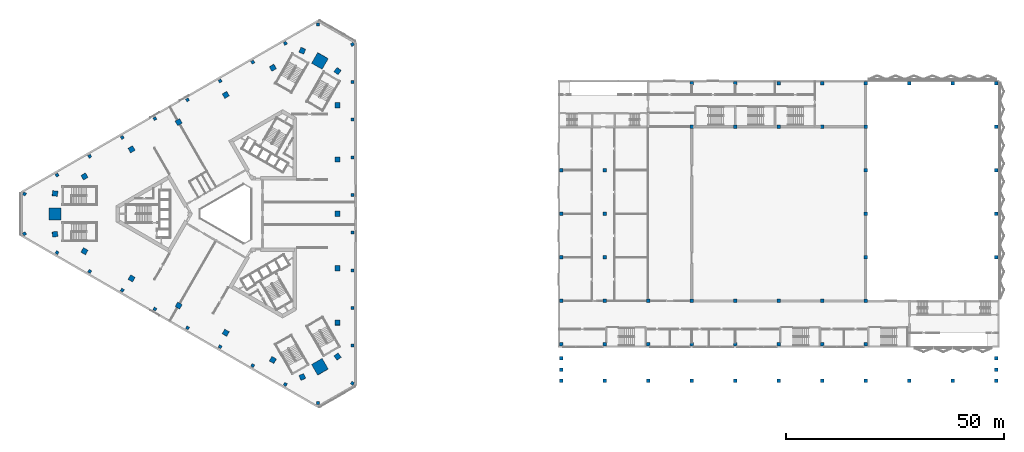
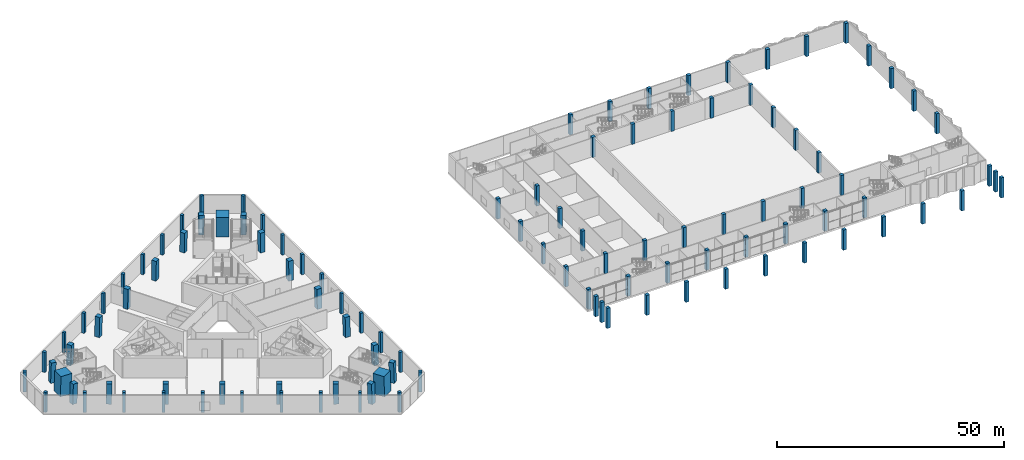
# One storey, part 1 of 35: 111 columns.
"""IFC4 building model written with IfcOpenShell, lengths in metres."""

from ifc_helpers import new_model, si_unit, direction, frame, origin, origin_2d, place, context, subcontext, project, spatial, rectangle, extrude, material, material_profile, profile_set, type_object, element, save


model = new_model("IFC4")

# Units and contexts
model_context = context("Model", 3, precision=1e-05, world=origin(), true_north=direction((0.0, 1.0)))
body_context = subcontext(model_context, "Body", "Model", "MODEL_VIEW")
ifc_project = project(units=[si_unit("LENGTHUNIT", "METRE"), si_unit("AREAUNIT", "SQUARE_METRE"), si_unit("VOLUMEUNIT", "CUBIC_METRE"), si_unit("PLANEANGLEUNIT", "RADIAN"), si_unit("MASSUNIT", "GRAM", prefix="KILO")], contexts=[model_context])

# Site, building, storey
site_placement = place(None, origin())
site = spatial("IfcSite", under=ifc_project, at=site_placement, CompositionType="ELEMENT")
building_placement = place(site_placement, origin())
building = spatial("IfcBuilding", under=site, at=building_placement, Name="Jabali Bay Hotel Tower and Convention Centre", CompositionType="ELEMENT")
storey_placement = place(building_placement, frame((0.0, 0.0, 15.0)))
storey = spatial("IfcBuildingStorey", under=building, at=storey_placement, Name="L02", CompositionType="ELEMENT", Elevation=15.0)

# Columns
ifc_material_1 = material(Name="Concrete C60", Category="concrete")
ifc_material_profile_1 = material_profile(ifc_material_1, rectangle(XDim=0.800048828125, YDim=0.800048828125, at=origin_2d()), Name="RC 800x800")
ifc_profile_set_1 = profile_set([ifc_material_profile_1], Name="Concrete C60")
column_type_1 = type_object("IfcColumnType", Name="CC Column 800x800 C60", PredefinedType="COLUMN", material=ifc_profile_set_1)
for number, where, z_axis, x_axis, name in (
    (1, (150.699951171875, 50.0, 0.0), (0.0, 0.0, 1.0), (1.0, 0.0, 0.0), "CC column CC1/A"),
    (2, (150.699951171875, 60.0, 0.0), (0.0, 0.0, 1.0), (1.0, 0.0, 0.0), "CC column CC1/B"),
    (3, (150.699951171875, 70.0, 0.0), (0.0, 0.0, 1.0), (1.0, 0.0, 0.0), "CC column CC1/C"),
    (4, (150.699951171875, 80.0, 0.0), (0.0, 0.0, 1.0), (1.0, 0.0, 0.0), "CC column CC1/D"),
    (5, (150.699951171875, 90.0, 0.0), (0.0, 0.0, 1.0), (1.0, 0.0, 0.0), "CC column CC1/E"),
    (6, (160.699951171875, 50.0, 0.0), (0.0, 0.0, 1.0), (1.0, 0.0, 0.0), "CC column CC2/A"),
    (7, (160.699951171875, 60.0, 0.0), (0.0, 0.0, 1.0), (1.0, 0.0, 0.0), "CC column CC2/B"),
    (8, (160.699951171875, 70.0, 0.0), (0.0, 0.0, 1.0), (1.0, 0.0, 0.0), "CC column CC2/C"),
    (9, (160.699951171875, 80.0, 0.0), (0.0, 0.0, 1.0), (1.0, 0.0, 0.0), "CC column CC2/D"),
    (10, (160.699951171875, 90.0, 0.0), (0.0, 0.0, 1.0), (1.0, 0.0, 0.0), "CC column CC2/E"),
    (11, (170.699951171875, 50.0, 0.0), (0.0, 0.0, 1.0), (1.0, 0.0, 0.0), "CC column CC3/A"),
    (12, (170.699951171875, 60.0, 0.0), (0.0, 0.0, 1.0), (1.0, 0.0, 0.0), "CC column CC3/B"),
    (13, (180.699951171875, 50.0, 0.0), (0.0, 0.0, 1.0), (1.0, 0.0, 0.0), "CC column CC4/A"),
    (14, (180.699951171875, 60.0, 0.0), (0.0, 0.0, 1.0), (1.0, 0.0, 0.0), "CC column CC4/B"),
    (15, (180.699951171875, 100.0, 0.0), (0.0, 0.0, 1.0), (1.0, 0.0, 0.0), "CC column CC4/F"),
    (16, (180.699951171875, 110.0, 0.0), (0.0, 0.0, 1.0), (1.0, 0.0, 0.0), "CC column CC4/G"),
    (17, (190.699951171875, 50.0, 0.0), (0.0, 0.0, 1.0), (1.0, 0.0, 0.0), "CC column CC5/A"),
    (18, (190.699951171875, 60.0, 0.0), (0.0, 0.0, 1.0), (1.0, 0.0, 0.0), "CC column CC5/B"),
    (19, (190.699951171875, 100.0, 0.0), (0.0, 0.0, 1.0), (1.0, 0.0, 0.0), "CC column CC5/F"),
    (20, (190.699951171875, 110.0, 0.0), (0.0, 0.0, 1.0), (1.0, 0.0, 0.0), "CC column CC5/G"),
    (21, (200.699951171875, 50.0, 0.0), (0.0, 0.0, 1.0), (1.0, 0.0, 0.0), "CC column CC6/A"),
    (22, (200.699951171875, 60.0, 0.0), (0.0, 0.0, 1.0), (1.0, 0.0, 0.0), "CC column CC6/B"),
    (23, (200.699951171875, 100.0, 0.0), (0.0, 0.0, 1.0), (1.0, 0.0, 0.0), "CC column CC6/F"),
    (24, (200.699951171875, 110.0, 0.0), (0.0, 0.0, 1.0), (1.0, 0.0, 0.0), "CC column CC6/G"),
    (25, (210.699951171875, 50.0, 0.0), (0.0, 0.0, 1.0), (1.0, 0.0, 0.0), "CC column CC7/A"),
    (26, (210.699951171875, 60.0, 0.0), (0.0, 0.0, 1.0), (1.0, 0.0, 0.0), "CC column CC7/B"),
    (27, (210.699951171875, 100.0, 0.0), (0.0, 0.0, 1.0), (1.0, 0.0, 0.0), "CC column CC7/F"),
    (28, (210.699951171875, 110.0, 0.0), (0.0, 0.0, 1.0), (1.0, 0.0, 0.0), "CC column CC7/G"),
    (29, (220.699951171875, 50.0, 0.0), (0.0, 0.0, 1.0), (1.0, 0.0, 0.0), "CC column CC8/A"),
    (30, (220.699951171875, 60.0, 0.0), (0.0, 0.0, 1.0), (1.0, 0.0, 0.0), "CC column CC8/B"),
    (31, (220.699951171875, 70.0, 0.0), (0.0, 0.0, 1.0), (1.0, 0.0, 0.0), "CC column CC8/C"),
    (32, (220.699951171875, 80.0, 0.0), (0.0, 0.0, 1.0), (1.0, 0.0, 0.0), "CC column CC8/D"),
    (33, (220.699951171875, 90.0, 0.0), (0.0, 0.0, 1.0), (1.0, 0.0, 0.0), "CC column CC8/E"),
    (34, (220.699951171875, 100.0, 0.0), (0.0, 0.0, 1.0), (1.0, 0.0, 0.0), "CC column CC8/F"),
    (35, (220.699951171875, 110.0, 0.0), (0.0, 0.0, 1.0), (1.0, 0.0, 0.0), "CC column CC8/G"),
    (36, (230.699951171875, 110.0, 0.0), (0.0, 0.0, 1.0), (1.0, 0.0, 0.0), "CC column CC9/G"),
    (37, (240.699951171875, 110.0, 0.0), (0.0, 0.0, 1.0), (1.0, 0.0, 0.0), "CC column CC10/G"),
    (38, (250.699951171875, 70.0, 0.0), (0.0, 0.0, 1.0), (1.0, 0.0, 0.0), "CC column CC11/C"),
    (39, (250.699951171875, 80.0, 0.0), (0.0, 0.0, 1.0), (1.0, 0.0, 0.0), "CC column CC11/D"),
    (40, (250.699951171875, 90.0, 0.0), (0.0, 0.0, 1.0), (1.0, 0.0, 0.0), "CC column CC11/E"),
    (41, (250.699951171875, 100.0, 0.0), (0.0, 0.0, 1.0), (1.0, 0.0, 0.0), "CC column CC11/F"),
    (42, (250.699951171875, 110.0, 0.0), (0.0, 0.0, 1.0), (1.0, 0.0, 0.0), "CC column CC11/G"),
):
    element("IfcColumn", number, at=place(storey_placement, frame(where, z_axis=z_axis, x_axis=x_axis)), inside=storey, type_object=column_type_1, Name=name, PredefinedType="COLUMN", context=body_context, shape_type="SweptSolid", body=[
        extrude(rectangle(XDim=0.800048828125, YDim=0.800048828125, at=origin_2d()), origin(), (0.0, 0.0, 1.0), 5.39990234375),
    ])
ifc_material_profile_2 = material_profile(ifc_material_1, rectangle(XDim=0.800048828125, YDim=0.800048828125, at=origin_2d()), Name="RC 800x800")
ifc_profile_set_2 = profile_set([ifc_material_profile_2], Name="Concrete C60")
column_type_2 = type_object("IfcColumnType", Name="CC South Pier 800x800", PredefinedType="COLUMN", material=ifc_profile_set_2)
for number, where, z_axis, x_axis, name in (
    (43, (150.699951171875, 44.199951171875, 0.0), (0.0, 0.0, 1.0), (1.0, 0.0, 0.0), "CC south roof return pier W1"),
    (44, (150.699951171875, 46.800048828125, 0.0), (0.0, 0.0, 1.0), (1.0, 0.0, 0.0), "CC south roof return pier W2"),
    (45, (250.699951171875, 44.199951171875, 0.0), (0.0, 0.0, 1.0), (1.0, 0.0, 0.0), "CC south roof return pier E1"),
    (46, (250.699951171875, 46.800048828125, 0.0), (0.0, 0.0, 1.0), (1.0, 0.0, 0.0), "CC south roof return pier E2"),
    (47, (150.699951171875, 41.60009765625, 0.0), (0.0, 0.0, 1.0), (1.0, 0.0, 0.0), "CC south roof pier 1"),
    (48, (160.699951171875, 41.60009765625, 0.0), (0.0, 0.0, 1.0), (1.0, 0.0, 0.0), "CC south roof pier 2"),
    (49, (170.699951171875, 41.60009765625, 0.0), (0.0, 0.0, 1.0), (1.0, 0.0, 0.0), "CC south roof pier 3"),
    (50, (180.699951171875, 41.60009765625, 0.0), (0.0, 0.0, 1.0), (1.0, 0.0, 0.0), "CC south roof pier 4"),
    (51, (190.699951171875, 41.60009765625, 0.0), (0.0, 0.0, 1.0), (1.0, 0.0, 0.0), "CC south roof pier 5"),
    (52, (200.699951171875, 41.60009765625, 0.0), (0.0, 0.0, 1.0), (1.0, 0.0, 0.0), "CC south roof pier 6"),
    (53, (210.699951171875, 41.60009765625, 0.0), (0.0, 0.0, 1.0), (1.0, 0.0, 0.0), "CC south roof pier 7"),
    (54, (220.699951171875, 41.60009765625, 0.0), (0.0, 0.0, 1.0), (1.0, 0.0, 0.0), "CC south roof pier 8"),
    (55, (230.699951171875, 41.60009765625, 0.0), (0.0, 0.0, 1.0), (1.0, 0.0, 0.0), "CC south roof pier 9"),
    (56, (240.699951171875, 41.60009765625, 0.0), (0.0, 0.0, 1.0), (1.0, 0.0, 0.0), "CC south roof pier 10"),
    (57, (250.699951171875, 41.60009765625, 0.0), (0.0, 0.0, 1.0), (1.0, 0.0, 0.0), "CC south roof pier 11"),
):
    element("IfcColumn", number, at=place(storey_placement, frame(where, z_axis=z_axis, x_axis=x_axis)), inside=storey, type_object=column_type_2, Name=name, PredefinedType="COLUMN", context=body_context, shape_type="SweptSolid", body=[
        extrude(rectangle(XDim=0.800048828125, YDim=0.800048828125, at=origin_2d()), origin(), (0.0, 0.0, 1.0), 5.39990234375),
    ])
ifc_material_profile_3 = material_profile(ifc_material_1, rectangle(XDim=1.199951171875, YDim=1.199951171875, at=origin_2d()), Name="Frame column 1200")
ifc_profile_set_3 = profile_set([ifc_material_profile_3], Name="Concrete C60")
column_type_3 = type_object("IfcColumnType", Name="Frame column 1200", PredefinedType="COLUMN", material=ifc_profile_set_3)
column_1_placement = place(storey_placement, frame((84.474365234375, 113.590087890625, 0.0), z_axis=(-0.008405819998, -0.028109785153, 0.999569498419), x_axis=(0.866589254109, 0.49856697269, 0.021308176972)))
element("IfcColumn", 58, at=column_1_placement, inside=storey, type_object=column_type_3, Name="FC1 F1.1 L02", PredefinedType="COLUMN", context=body_context, shape_type="SweptSolid", body=[
    extrude(rectangle(XDim=1.199951171875, YDim=1.199951171875, at=origin_2d()), origin(), (0.0, 0.0, 1.0), 5.40234375),
])
column_2_placement = place(storey_placement, frame((73.64892578125, 107.340087890625, 0.0), z_axis=(0.000858805594, -0.02278094838, 0.999740111651), x_axis=(0.865998283321, 0.499933588876, 0.010648004404)))
element("IfcColumn", 59, at=column_2_placement, inside=storey, type_object=column_type_3, Name="FC1 F1.2 L02", PredefinedType="COLUMN", context=body_context, shape_type="SweptSolid", body=[
    extrude(rectangle(XDim=1.199951171875, YDim=1.199951171875, at=origin_2d()), origin(), (0.0, 0.0, 1.0), 5.4013671875),
])
column_3_placement = place(storey_placement, frame((62.823486328125, 101.090087890625, 0.0), z_axis=(0.010125436974, -0.017448297643, 0.999796495511), x_axis=(-0.501816772312, 0.864738665414, 0.020173437103)))
element("IfcColumn", 60, at=column_3_placement, inside=storey, type_object=column_type_3, Name="FC1 F1.3 L02", PredefinedType="COLUMN", context=body_context, shape_type="SweptSolid", body=[
    extrude(rectangle(XDim=1.199951171875, YDim=1.199951171875, at=origin_2d()), origin(), (0.0, 0.0, 1.0), 5.401123046875),
])
column_4_placement = place(storey_placement, frame((51.998291015625, 94.840087890625, 0.0), z_axis=(0.019300530127, -0.012113681672, 0.999740340415), x_axis=(-0.50042402576, 0.865545970579, 0.020148629131)))
element("IfcColumn", 61, at=column_4_placement, inside=storey, type_object=column_type_3, Name="FC1 F1.4 L02", PredefinedType="COLUMN", context=body_context, shape_type="SweptSolid", body=[
    extrude(rectangle(XDim=1.199951171875, YDim=1.199951171875, at=origin_2d()), origin(), (0.0, 0.0, 1.0), 5.4013671875),
])
for number, where, z_axis, x_axis, name in (
    (62, (41.1728515625, 88.590087890625, 0.0), (0.02856168923, -0.006824074484, 0.999568737964), (-0.499546013967, 0.866052124065, 0.020186587918), "FC1 F1.5 L02"),
    (63, (41.1728515625, 71.409912109375, 0.0), (0.02856168923, 0.006824074484, 0.999568737964), (-0.865816383443, 0.499907141787, 0.021326972417), "FC1 F2.1 L02"),
):
    element("IfcColumn", number, at=place(storey_placement, frame(where, z_axis=z_axis, x_axis=x_axis)), inside=storey, type_object=column_type_3, Name=name, PredefinedType="COLUMN", context=body_context, shape_type="SweptSolid", body=[
        extrude(rectangle(XDim=1.199951171875, YDim=1.199951171875, at=origin_2d()), origin(), (0.0, 0.0, 1.0), 5.40234375),
    ])
column_5_placement = place(storey_placement, frame((51.998291015625, 65.159912109375, 0.0), z_axis=(0.019300530127, 0.012113681672, 0.999740340415), x_axis=(-0.865565297351, 0.500682965089, 0.010643518732)))
element("IfcColumn", 64, at=column_5_placement, inside=storey, type_object=column_type_3, Name="FC1 F2.2 L02", PredefinedType="COLUMN", context=body_context, shape_type="SweptSolid", body=[
    extrude(rectangle(XDim=1.199951171875, YDim=1.199951171875, at=origin_2d()), origin(), (0.0, 0.0, 1.0), 5.4013671875),
])
column_6_placement = place(storey_placement, frame((62.823486328125, 58.909912109375, 0.0), z_axis=(0.010125436974, 0.017448297643, 0.999796495511), x_axis=(-0.864914679348, 0.501918915212, 8.45e-09)))
element("IfcColumn", 65, at=column_6_placement, inside=storey, type_object=column_type_3, Name="FC1 F2.3 L02", PredefinedType="COLUMN", context=body_context, shape_type="SweptSolid", body=[
    extrude(rectangle(XDim=1.199951171875, YDim=1.199951171875, at=origin_2d()), origin(), (0.0, 0.0, 1.0), 5.401123046875),
])
column_7_placement = place(storey_placement, frame((73.64892578125, 52.659912109375, 0.0), z_axis=(0.000858805594, 0.02278094838, 0.999740111651), x_axis=(-0.5000462336, -0.865764075891, 0.020157607952)))
element("IfcColumn", 66, at=column_7_placement, inside=storey, type_object=column_type_3, Name="FC1 F2.4 L02", PredefinedType="COLUMN", context=body_context, shape_type="SweptSolid", body=[
    extrude(rectangle(XDim=1.199951171875, YDim=1.199951171875, at=origin_2d()), origin(), (0.0, 0.0, 1.0), 5.4013671875),
])
for number, where, z_axis, x_axis, name in (
    (67, (84.474365234375, 46.409912109375, 0.0), (-0.008405819998, 0.028109785153, 0.999569498419), (-0.498951307097, -0.866395298765, 0.02016877352), "FC1 F2.5 L02"),
    (68, (99.352783203125, 55.0, 0.0), (-0.020155886434, 0.021330893266, 0.999569273855), (-0.001061166118, -0.999772271416, 0.021313827291), "FC1 F0.1 L02"),
):
    element("IfcColumn", number, at=place(storey_placement, frame(where, z_axis=z_axis, x_axis=x_axis)), inside=storey, type_object=column_type_3, Name=name, PredefinedType="COLUMN", context=body_context, shape_type="SweptSolid", body=[
        extrude(rectangle(XDim=1.199951171875, YDim=1.199951171875, at=origin_2d()), origin(), (0.0, 0.0, 1.0), 5.40234375),
    ])
column_8_placement = place(storey_placement, frame((99.352783203125, 67.5, 0.0), z_axis=(-0.020159326465, 0.010667266919, 0.999739871653), x_axis=(-0.000815049749, -0.999942923031, 0.010652998356)))
element("IfcColumn", 69, at=column_8_placement, inside=storey, type_object=column_type_3, Name="FC1 F0.2 L02", PredefinedType="COLUMN", context=body_context, shape_type="SweptSolid", body=[
    extrude(rectangle(XDim=1.199951171875, YDim=1.199951171875, at=origin_2d()), origin(), (0.0, 0.0, 1.0), 5.4013671875),
])
column_9_placement = place(storey_placement, frame((99.352783203125, 80.0, 0.0), z_axis=(-0.020160473534, 0.0, 0.999796757), x_axis=(0.0, -1.0, 0.0)))
element("IfcColumn", 70, at=column_9_placement, inside=storey, type_object=column_type_3, Name="FC1 F0.3 L02", PredefinedType="COLUMN", context=body_context, shape_type="SweptSolid", body=[
    extrude(rectangle(XDim=1.199951171875, YDim=1.199951171875, at=origin_2d()), origin(), (0.0, 0.0, 1.0), 5.40087890625),
])
column_10_placement = place(storey_placement, frame((99.352783203125, 92.5, 0.0), z_axis=(-0.020159326465, -0.010667266919, 0.999739871653), x_axis=(0.999796447908, 0.00060008046, 0.020166870185)))
element("IfcColumn", 71, at=column_10_placement, inside=storey, type_object=column_type_3, Name="FC1 F0.4 L02", PredefinedType="COLUMN", context=body_context, shape_type="SweptSolid", body=[
    extrude(rectangle(XDim=1.199951171875, YDim=1.199951171875, at=origin_2d()), origin(), (0.0, 0.0, 1.0), 5.4013671875),
])
column_11_placement = place(storey_placement, frame((99.352783203125, 105.0, 0.0), z_axis=(-0.020155886434, -0.021330893266, 0.999569273855), x_axis=(0.999796286335, 0.000631109964, 0.020173931983)))
element("IfcColumn", 72, at=column_11_placement, inside=storey, type_object=column_type_3, Name="FC1 F0.5 L02", PredefinedType="COLUMN", context=body_context, shape_type="SweptSolid", body=[
    extrude(rectangle(XDim=1.199951171875, YDim=1.199951171875, at=origin_2d()), origin(), (0.0, 0.0, 1.0), 5.40234375),
])
for number, where, z_axis, x_axis, name in (
    (73, (99.352783203125, 47.18017578125, 0.0), (-0.02015198958, 0.029008020875, 0.999376021346), (-0.803471766719, -0.595341881828, 0.001078808219), "FC1 V0 L02"),
    (74, (99.352783203125, 112.81982421875, 0.0), (-0.02015198958, -0.029008020875, 0.999376021346), (0.595001695293, 0.802948677355, 0.03530444918), "FC1 V1 L02"),
    (75, (91.246337890625, 117.5, 0.0), (-0.015001048022, -0.031945002866, 0.999377048641), (0.917716531026, -0.397234448643, 0.001077725523), "FC1 V2 L02"),
    (76, (34.40087890625, 84.68017578125, 0.0), (0.035198206518, -0.002936949196, 0.999376035628), (-0.992911032707, 0.113495838493, 0.035304047562), "FC1 V3 L02"),
    (77, (34.40087890625, 75.31982421875, 0.0), (0.035198206518, 0.002936949196, 0.999376035628), (-0.113528707327, 0.993534130755, 0.001078720703), "FC1 V4 L02"),
    (78, (91.246337890625, 42.5, 0.0), (-0.015001048022, 0.031945002866, 0.999377048641), (0.396952562959, -0.917161005278, 0.035275390254), "FC1 V5 L02"),
):
    element("IfcColumn", number, at=place(storey_placement, frame(where, z_axis=z_axis, x_axis=x_axis)), inside=storey, type_object=column_type_3, Name=name, PredefinedType="COLUMN", context=body_context, shape_type="SweptSolid", body=[
        extrude(rectangle(XDim=1.199951171875, YDim=1.199951171875, at=origin_2d()), origin(), (0.0, 0.0, 1.0), 5.4033203125),
    ])
ifc_material_2 = material(Name="Concrete C70", Category="concrete")
ifc_material_profile_4 = material_profile(ifc_material_2, rectangle(XDim=2.800048828125, YDim=2.800048828125, at=origin_2d()), Name="Mega column 2800")
ifc_profile_set_4 = profile_set([ifc_material_profile_4], Name="Concrete C70")
column_type_4 = type_object("IfcColumnType", Name="Mega column 2800", PredefinedType="COLUMN", material=ifc_profile_set_4)
for number, where, z_axis, x_axis, name in (
    (79, (95.299560546875, 115.159912109375, 0.0), (-0.017576585263, -0.030499216073, 0.999380238683), (0.499009854814, 0.865881069356, 0.035201399554), "MC1 M1 L02"),
    (80, (34.40087890625, 80.0, 0.0), (0.035198358323, 0.0, 0.9993803458), (0.0, 1.0, 0.0), "MC1 M0 L02"),
    (81, (95.299560546875, 44.840087890625, 0.0), (-0.017576585263, 0.030499216073, 0.999380238683), (-0.866418044854, -0.499319308209, 1.76942e-07), "MC1 M2 L02"),
):
    element("IfcColumn", number, at=place(storey_placement, frame(where, z_axis=z_axis, x_axis=x_axis)), inside=storey, type_object=column_type_4, Name=name, PredefinedType="COLUMN", context=body_context, shape_type="SweptSolid", body=[
        extrude(rectangle(XDim=2.800048828125, YDim=2.800048828125, at=origin_2d()), origin(), (0.0, 0.0, 1.0), 5.4033203125),
    ])
ifc_material_profile_5 = material_profile(ifc_material_1, rectangle(XDim=0.699951171875, YDim=0.699951171875, at=origin_2d()), Name="Podium column 700")
ifc_profile_set_5 = profile_set([ifc_material_profile_5], Name="Concrete C60")
column_type_5 = type_object("IfcColumnType", Name="Podium column 700", PredefinedType="COLUMN", material=ifc_profile_set_5)
for number, where, z_axis, x_axis, name in (
    (82, (102.75, 41.069580078125, 0.0), (0.0, 0.0, 1.0), (0.49999996977, 0.866025421238, 0.0), "PC P01 L02"),
    (83, (102.75, 49.720703125, 0.0), (0.0, 0.0, 1.0), (1.0, 0.0, 0.0), "PC P02 L02"),
    (84, (102.75, 58.3720703125, 0.0), (0.0, 0.0, 1.0), (1.0, 0.0, 0.0), "PC P03 L02"),
    (85, (102.75, 67.023193359375, 0.0), (0.0, 0.0, 1.0), (1.0, 0.0, 0.0), "PC P04 L02"),
    (86, (102.75, 75.67431640625, 0.0), (0.0, 0.0, 1.0), (1.0, 0.0, 0.0), "PC P05 L02"),
    (87, (102.75, 84.32568359375, 0.0), (0.0, 0.0, 1.0), (1.0, 0.0, 0.0), "PC P06 L02"),
    (88, (102.75, 92.976806640625, 0.0), (0.0, 0.0, 1.0), (1.0, 0.0, 0.0), "PC P07 L02"),
    (89, (102.75, 101.6279296875, 0.0), (0.0, 0.0, 1.0), (1.0, 0.0, 0.0), "PC P08 L02"),
    (90, (102.75, 110.279296875, 0.0), (0.0, 0.0, 1.0), (1.0, 0.0, 0.0), "PC P09 L02"),
    (91, (102.75, 118.930419921875, 0.0), (0.0, 0.0, 1.0), (0.866025421238, 0.49999996977, 0.0), "PC P10 L02"),
    (92, (94.83984375, 123.497314453125, 0.0), (0.0, 0.0, 1.0), (3.4907e-08, 1.0, 0.0), "PC P11 L02"),
    (93, (87.34765625, 119.171875, 0.0), (0.0, 0.0, 1.0), (0.866025403784, 0.5, 0.0), "PC P12 L02"),
    (94, (79.85546875, 114.84619140625, 0.0), (0.0, 0.0, 1.0), (0.866025403784, 0.5, 0.0), "PC P13 L02"),
    (95, (72.36328125, 110.5205078125, 0.0), (0.0, 0.0, 1.0), (0.866025403784, 0.5, 0.0), "PC P14 L02"),
    (96, (64.87109375, 106.195068359375, 0.0), (0.0, 0.0, 1.0), (0.866025403784, 0.5, 0.0), "PC P15 L02"),
    (97, (57.37890625, 101.869384765625, 0.0), (0.0, 0.0, 1.0), (0.866025403784, 0.5, 0.0), "PC P16 L02"),
    (98, (49.88671875, 97.543701171875, 0.0), (0.0, 0.0, 1.0), (0.866025403784, 0.5, 0.0), "PC P17 L02"),
    (99, (42.39453125, 93.21826171875, 0.0), (0.0, 0.0, 1.0), (0.866025403784, 0.5, 0.0), "PC P18 L02"),
    (100, (34.90234375, 88.892578125, 0.0), (0.0, 0.0, 1.0), (0.866025403784, 0.5, 0.0), "PC P19 L02"),
    (101, (27.41015625, 84.56689453125, 0.0), (0.0, 0.0, 1.0), (0.5, 0.866025403784, 0.0), "PC P20 L02"),
    (102, (27.41015625, 75.43310546875, 0.0), (0.0, 0.0, 1.0), (0.866025403784, 0.5, 0.0), "PC P21 L02"),
    (103, (34.90234375, 71.107421875, 0.0), (0.0, 0.0, 1.0), (0.5, 0.866025403784, 0.0), "PC P22 L02"),
    (104, (42.39453125, 66.78173828125, 0.0), (0.0, 0.0, 1.0), (0.5, 0.866025403784, 0.0), "PC P23 L02"),
    (105, (49.88671875, 62.456298828125, 0.0), (0.0, 0.0, 1.0), (0.5, 0.866025403784, 0.0), "PC P24 L02"),
    (106, (57.37890625, 58.130615234375, 0.0), (0.0, 0.0, 1.0), (0.5, 0.866025403784, 0.0), "PC P25 L02"),
    (107, (64.87109375, 53.804931640625, 0.0), (0.0, 0.0, 1.0), (0.5, 0.866025403784, 0.0), "PC P26 L02"),
    (108, (72.36328125, 49.4794921875, 0.0), (0.0, 0.0, 1.0), (0.5, 0.866025403784, 0.0), "PC P27 L02"),
    (109, (79.85546875, 45.15380859375, 0.0), (0.0, 0.0, 1.0), (0.5, 0.866025403784, 0.0), "PC P28 L02"),
    (110, (87.34765625, 40.828125, 0.0), (0.0, 0.0, 1.0), (0.5, 0.866025403784, 0.0), "PC P29 L02"),
    (111, (94.83984375, 36.502685546875, 0.0), (0.0, 0.0, 1.0), (1.0, 3.4907e-08, 0.0), "PC P30 L02"),
):
    element("IfcColumn", number, at=place(storey_placement, frame(where, z_axis=z_axis, x_axis=x_axis)), inside=storey, type_object=column_type_5, Name=name, PredefinedType="COLUMN", context=body_context, shape_type="SweptSolid", body=[
        extrude(rectangle(XDim=0.699951171875, YDim=0.699951171875, at=origin_2d()), origin(), (0.0, 0.0, 1.0), 5.39990234375),
    ])

save(model, "model.ifc")
